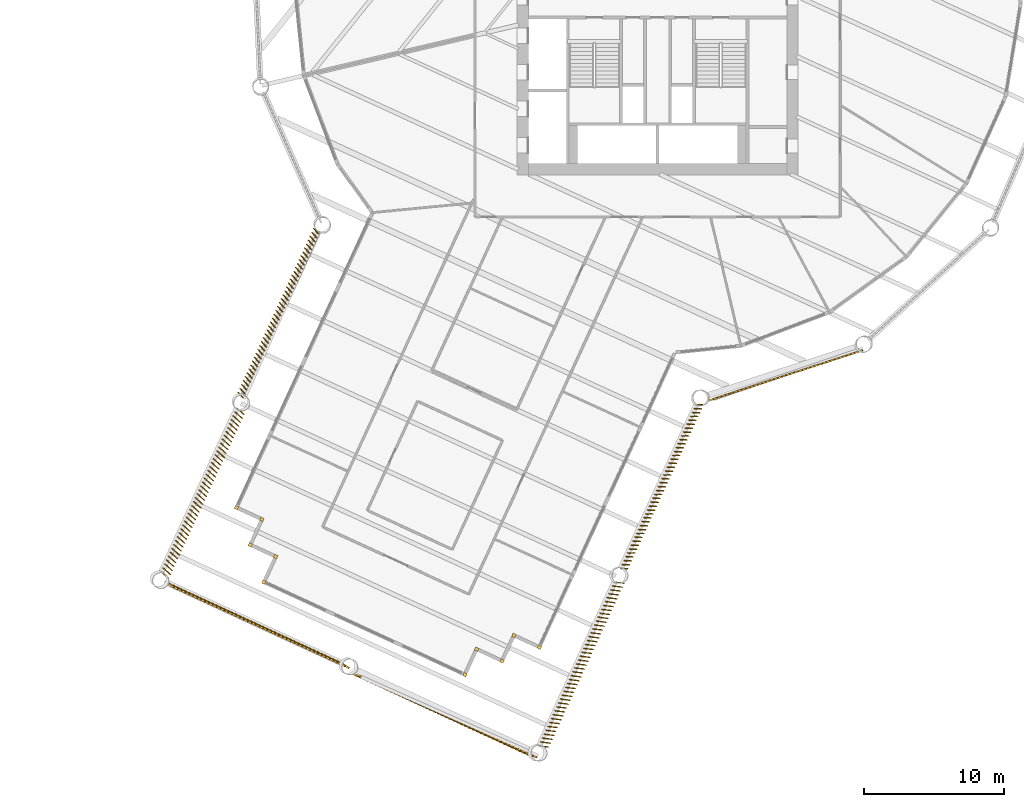
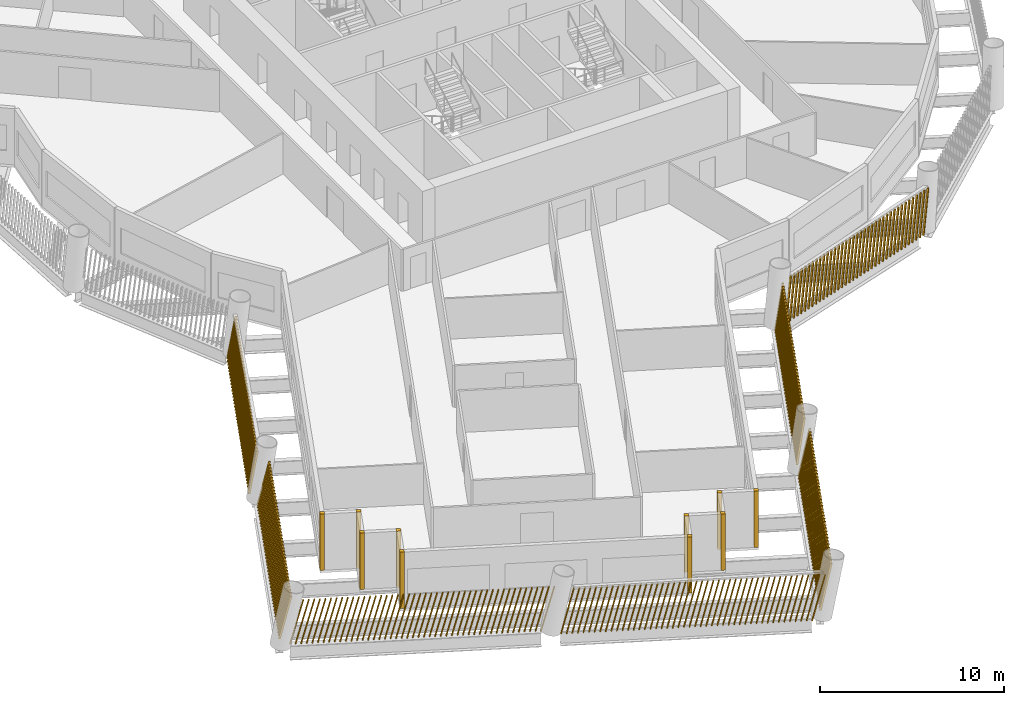
# One storey, part 11 of 16: 17 shading devices.
"""IFC4 building model written with IfcOpenShell, lengths in metres."""

from ifc_helpers import new_model, si_unit, direction, frame, frame_2d, origin, origin_2d, place, context, subcontext, project, spatial, rectangle, composite_profile, extrude, material, type_object, element, save


model = new_model("IFC4")

# Units and contexts
model_context = context("Model", 3, precision=1e-05, world=origin(), true_north=direction((0.0, 1.0)))
body_context = subcontext(model_context, "Body", "Model", "MODEL_VIEW")
ifc_project = project(units=[si_unit("LENGTHUNIT", "METRE"), si_unit("AREAUNIT", "SQUARE_METRE"), si_unit("VOLUMEUNIT", "CUBIC_METRE"), si_unit("PLANEANGLEUNIT", "RADIAN"), si_unit("MASSUNIT", "GRAM", prefix="KILO")], contexts=[model_context])

# Site, building, storey
site_placement = place(None, origin())
site = spatial("IfcSite", under=ifc_project, at=site_placement, CompositionType="ELEMENT")
building_placement = place(site_placement, origin())
building = spatial("IfcBuilding", under=site, at=building_placement, Name="Tarsis Ring Headquarters", CompositionType="ELEMENT")
storey_placement = place(building_placement, frame((0.0, 0.0, 112.300048828125)))
storey = spatial("IfcBuildingStorey", under=building, at=storey_placement, Name="L25", CompositionType="ELEMENT", Elevation=112.300048828125)

# Shading devices
ifc_material = material(Name="Terracotta baguette", Category="masonry")
shading_device_type_1 = type_object("IfcShadingDeviceType", Name="Terracotta baguette screen", PredefinedType="USERDEFINED", material=ifc_material)
shading_device_1_placement = place(storey_placement, frame((-24.4521484375, -16.8046875, 0.0), z_axis=(0.0, 0.0, 1.0), x_axis=(-0.418502119285, -0.908208446866, 0.0)))
element("IfcShadingDevice", 1, at=shading_device_1_placement, inside=storey, type_object=shading_device_type_1, Name="Baguette screen L25-01", ObjectType="Terracotta baguette screen", PredefinedType="USERDEFINED", context=body_context, shape_type="SweptSolid", body=[
    extrude(composite_profile([rectangle(XDim=0.06005859375, YDim=0.1201171875, at=frame_2d((0.030029296875, 0.0))), rectangle(XDim=0.06005859375, YDim=0.1201171875, at=frame_2d((0.335693359375, 0.0))), rectangle(XDim=0.06005859375, YDim=0.1201171875, at=frame_2d((0.6416015625, 0.0))), rectangle(XDim=0.06005859375, YDim=0.1201171875, at=frame_2d((0.947265625, 0.0))), rectangle(XDim=0.06005859375, YDim=0.1201171875, at=frame_2d((1.253173828125, 0.0))), rectangle(XDim=0.06005859375, YDim=0.1201171875, at=frame_2d((1.558837890625, 0.0))), rectangle(XDim=0.06005859375, YDim=0.1201171875, at=frame_2d((1.864501953125, 0.0))), rectangle(XDim=0.06005859375, YDim=0.1201171875, at=frame_2d((2.17041015625, 0.0))), rectangle(XDim=0.06005859375, YDim=0.1201171875, at=frame_2d((2.47607421875, 0.0))), rectangle(XDim=0.06005859375, YDim=0.1201171875, at=frame_2d((2.781982421875, 0.0))), rectangle(XDim=0.06005859375, YDim=0.1201171875, at=frame_2d((3.087646484375, 0.0))), rectangle(XDim=0.06005859375, YDim=0.1201171875, at=frame_2d((3.393310546875, 0.0))), rectangle(XDim=0.06005859375, YDim=0.1201171875, at=frame_2d((3.69921875, 0.0))), rectangle(XDim=0.06005859375, YDim=0.1201171875, at=frame_2d((4.0048828125, 0.0))), rectangle(XDim=0.06005859375, YDim=0.1201171875, at=frame_2d((4.310791015625, 0.0))), rectangle(XDim=0.06005859375, YDim=0.1201171875, at=frame_2d((4.616455078125, 0.0))), rectangle(XDim=0.06005859375, YDim=0.1201171875, at=frame_2d((4.922119140625, 0.0))), rectangle(XDim=0.06005859375, YDim=0.1201171875, at=frame_2d((5.22802734375, 0.0))), rectangle(XDim=0.06005859375, YDim=0.1201171875, at=frame_2d((5.53369140625, 0.0))), rectangle(XDim=0.06005859375, YDim=0.1201171875, at=frame_2d((5.839599609375, 0.0))), rectangle(XDim=0.06005859375, YDim=0.1201171875, at=frame_2d((6.145263671875, 0.0))), rectangle(XDim=0.06005859375, YDim=0.1201171875, at=frame_2d((6.451171875, 0.0))), rectangle(XDim=0.06005859375, YDim=0.1201171875, at=frame_2d((6.7568359375, 0.0))), rectangle(XDim=0.06005859375, YDim=0.1201171875, at=frame_2d((7.0625, 0.0))), rectangle(XDim=0.06005859375, YDim=0.1201171875, at=frame_2d((7.368408203125, 0.0))), rectangle(XDim=0.06005859375, YDim=0.1201171875, at=frame_2d((7.674072265625, 0.0))), rectangle(XDim=0.06005859375, YDim=0.1201171875, at=frame_2d((7.97998046875, 0.0))), rectangle(XDim=0.06005859375, YDim=0.1201171875, at=frame_2d((8.28564453125, 0.0))), rectangle(XDim=0.06005859375, YDim=0.1201171875, at=frame_2d((8.59130859375, 0.0))), rectangle(XDim=0.06005859375, YDim=0.1201171875, at=frame_2d((8.897216796875, 0.0))), rectangle(XDim=0.06005859375, YDim=0.1201171875, at=frame_2d((9.202880859375, 0.0))), rectangle(XDim=0.06005859375, YDim=0.1201171875, at=frame_2d((9.5087890625, 0.0))), rectangle(XDim=0.06005859375, YDim=0.1201171875, at=frame_2d((9.814453125, 0.0))), rectangle(XDim=0.06005859375, YDim=0.1201171875, at=frame_2d((10.1201171875, 0.0))), rectangle(XDim=0.06005859375, YDim=0.1201171875, at=frame_2d((10.426025390625, 0.0))), rectangle(XDim=0.06005859375, YDim=0.1201171875, at=frame_2d((10.731689453125, 0.0))), rectangle(XDim=0.06005859375, YDim=0.1201171875, at=frame_2d((11.03759765625, 0.0))), rectangle(XDim=0.06005859375, YDim=0.1201171875, at=frame_2d((11.34326171875, 0.0))), rectangle(XDim=0.06005859375, YDim=0.1201171875, at=frame_2d((11.64892578125, 0.0))), rectangle(XDim=0.06005859375, YDim=0.1201171875, at=frame_2d((11.954833984375, 0.0))), rectangle(XDim=0.06005859375, YDim=0.1201171875, at=frame_2d((12.260498046875, 0.0))), rectangle(XDim=0.06005859375, YDim=0.1201171875, at=frame_2d((12.56640625, 0.0))), rectangle(XDim=0.06005859375, YDim=0.1201171875, at=frame_2d((12.8720703125, 0.0)))]), origin(), (0.068061836873, 0.145839720977, 0.986964215231), 2.99169921875),
])
shading_device_2_placement = place(storey_placement, frame((-29.9296875, -29.587890625, 0.0), z_axis=(0.0, 0.0, 1.0), x_axis=(-0.418491115863, -0.908225632486, 0.0)))
element("IfcShadingDevice", 2, at=shading_device_2_placement, inside=storey, type_object=shading_device_type_1, Name="Baguette screen L25-02", ObjectType="Terracotta baguette screen", PredefinedType="USERDEFINED", context=body_context, shape_type="SweptSolid", body=[
    extrude(composite_profile([rectangle(XDim=0.06005859375, YDim=0.1201171875, at=frame_2d((0.030029296875, 0.0))), rectangle(XDim=0.06005859375, YDim=0.1201171875, at=frame_2d((0.335693359375, 0.0))), rectangle(XDim=0.06005859375, YDim=0.1201171875, at=frame_2d((0.6416015625, 0.0))), rectangle(XDim=0.06005859375, YDim=0.1201171875, at=frame_2d((0.947265625, 0.0))), rectangle(XDim=0.06005859375, YDim=0.1201171875, at=frame_2d((1.253173828125, 0.0))), rectangle(XDim=0.06005859375, YDim=0.1201171875, at=frame_2d((1.558837890625, 0.0))), rectangle(XDim=0.06005859375, YDim=0.1201171875, at=frame_2d((1.864501953125, 0.0))), rectangle(XDim=0.06005859375, YDim=0.1201171875, at=frame_2d((2.17041015625, 0.0))), rectangle(XDim=0.06005859375, YDim=0.1201171875, at=frame_2d((2.47607421875, 0.0))), rectangle(XDim=0.06005859375, YDim=0.1201171875, at=frame_2d((2.781982421875, 0.0))), rectangle(XDim=0.06005859375, YDim=0.1201171875, at=frame_2d((3.087646484375, 0.0))), rectangle(XDim=0.06005859375, YDim=0.1201171875, at=frame_2d((3.393310546875, 0.0))), rectangle(XDim=0.06005859375, YDim=0.1201171875, at=frame_2d((3.69921875, 0.0))), rectangle(XDim=0.06005859375, YDim=0.1201171875, at=frame_2d((4.0048828125, 0.0))), rectangle(XDim=0.06005859375, YDim=0.1201171875, at=frame_2d((4.310791015625, 0.0))), rectangle(XDim=0.06005859375, YDim=0.1201171875, at=frame_2d((4.616455078125, 0.0))), rectangle(XDim=0.06005859375, YDim=0.1201171875, at=frame_2d((4.922119140625, 0.0))), rectangle(XDim=0.06005859375, YDim=0.1201171875, at=frame_2d((5.22802734375, 0.0))), rectangle(XDim=0.06005859375, YDim=0.1201171875, at=frame_2d((5.53369140625, 0.0))), rectangle(XDim=0.06005859375, YDim=0.1201171875, at=frame_2d((5.839599609375, 0.0))), rectangle(XDim=0.06005859375, YDim=0.1201171875, at=frame_2d((6.145263671875, 0.0))), rectangle(XDim=0.06005859375, YDim=0.1201171875, at=frame_2d((6.451171875, 0.0))), rectangle(XDim=0.06005859375, YDim=0.1201171875, at=frame_2d((6.7568359375, 0.0))), rectangle(XDim=0.06005859375, YDim=0.1201171875, at=frame_2d((7.0625, 0.0))), rectangle(XDim=0.06005859375, YDim=0.1201171875, at=frame_2d((7.368408203125, 0.0))), rectangle(XDim=0.06005859375, YDim=0.1201171875, at=frame_2d((7.674072265625, 0.0))), rectangle(XDim=0.06005859375, YDim=0.1201171875, at=frame_2d((7.97998046875, 0.0))), rectangle(XDim=0.06005859375, YDim=0.1201171875, at=frame_2d((8.28564453125, 0.0))), rectangle(XDim=0.06005859375, YDim=0.1201171875, at=frame_2d((8.59130859375, 0.0))), rectangle(XDim=0.06005859375, YDim=0.1201171875, at=frame_2d((8.897216796875, 0.0))), rectangle(XDim=0.06005859375, YDim=0.1201171875, at=frame_2d((9.202880859375, 0.0))), rectangle(XDim=0.06005859375, YDim=0.1201171875, at=frame_2d((9.5087890625, 0.0))), rectangle(XDim=0.06005859375, YDim=0.1201171875, at=frame_2d((9.814453125, 0.0))), rectangle(XDim=0.06005859375, YDim=0.1201171875, at=frame_2d((10.1201171875, 0.0))), rectangle(XDim=0.06005859375, YDim=0.1201171875, at=frame_2d((10.426025390625, 0.0))), rectangle(XDim=0.06005859375, YDim=0.1201171875, at=frame_2d((10.731689453125, 0.0))), rectangle(XDim=0.06005859375, YDim=0.1201171875, at=frame_2d((11.03759765625, 0.0))), rectangle(XDim=0.06005859375, YDim=0.1201171875, at=frame_2d((11.34326171875, 0.0))), rectangle(XDim=0.06005859375, YDim=0.1201171875, at=frame_2d((11.64892578125, 0.0))), rectangle(XDim=0.06005859375, YDim=0.1201171875, at=frame_2d((11.954833984375, 0.0))), rectangle(XDim=0.06005859375, YDim=0.1201171875, at=frame_2d((12.260498046875, 0.0))), rectangle(XDim=0.06005859375, YDim=0.1201171875, at=frame_2d((12.56640625, 0.0))), rectangle(XDim=0.06005859375, YDim=0.1201171875, at=frame_2d((12.8720703125, 0.0)))]), origin(), (0.06521010196, 0.206810040181, 0.976205536699), 3.024658203125),
])
shading_device_3_placement = place(storey_placement, frame((-35.08447265625, -41.96923828125, 0.0), z_axis=(0.0, 0.0, 1.0), x_axis=(0.908217602831, -0.418505086245, 0.0)))
element("IfcShadingDevice", 3, at=shading_device_3_placement, inside=storey, type_object=shading_device_type_1, Name="Baguette screen L25-03", ObjectType="Terracotta baguette screen", PredefinedType="USERDEFINED", context=body_context, shape_type="SweptSolid", body=[
    extrude(composite_profile([rectangle(XDim=0.06005859375, YDim=0.1201171875, at=frame_2d((0.030029296875, 0.0))), rectangle(XDim=0.06005859375, YDim=0.1201171875, at=frame_2d((0.33544921875, 0.0))), rectangle(XDim=0.06005859375, YDim=0.1201171875, at=frame_2d((0.640625, 0.0))), rectangle(XDim=0.06005859375, YDim=0.1201171875, at=frame_2d((0.946044921875, 0.0))), rectangle(XDim=0.06005859375, YDim=0.1201171875, at=frame_2d((1.25146484375, 0.0))), rectangle(XDim=0.06005859375, YDim=0.1201171875, at=frame_2d((1.556640625, 0.0))), rectangle(XDim=0.06005859375, YDim=0.1201171875, at=frame_2d((1.862060546875, 0.0))), rectangle(XDim=0.06005859375, YDim=0.1201171875, at=frame_2d((2.16748046875, 0.0))), rectangle(XDim=0.06005859375, YDim=0.1201171875, at=frame_2d((2.47265625, 0.0))), rectangle(XDim=0.06005859375, YDim=0.1201171875, at=frame_2d((2.778076171875, 0.0))), rectangle(XDim=0.06005859375, YDim=0.1201171875, at=frame_2d((3.08349609375, 0.0))), rectangle(XDim=0.06005859375, YDim=0.1201171875, at=frame_2d((3.388671875, 0.0))), rectangle(XDim=0.06005859375, YDim=0.1201171875, at=frame_2d((3.694091796875, 0.0))), rectangle(XDim=0.06005859375, YDim=0.1201171875, at=frame_2d((3.99951171875, 0.0))), rectangle(XDim=0.06005859375, YDim=0.1201171875, at=frame_2d((4.3046875, 0.0))), rectangle(XDim=0.06005859375, YDim=0.1201171875, at=frame_2d((4.610107421875, 0.0))), rectangle(XDim=0.06005859375, YDim=0.1201171875, at=frame_2d((4.91552734375, 0.0))), rectangle(XDim=0.06005859375, YDim=0.1201171875, at=frame_2d((5.220703125, 0.0))), rectangle(XDim=0.06005859375, YDim=0.1201171875, at=frame_2d((5.526123046875, 0.0))), rectangle(XDim=0.06005859375, YDim=0.1201171875, at=frame_2d((5.83154296875, 0.0))), rectangle(XDim=0.06005859375, YDim=0.1201171875, at=frame_2d((6.13671875, 0.0))), rectangle(XDim=0.06005859375, YDim=0.1201171875, at=frame_2d((6.442138671875, 0.0))), rectangle(XDim=0.06005859375, YDim=0.1201171875, at=frame_2d((6.74755859375, 0.0))), rectangle(XDim=0.06005859375, YDim=0.1201171875, at=frame_2d((7.052734375, 0.0))), rectangle(XDim=0.06005859375, YDim=0.1201171875, at=frame_2d((7.358154296875, 0.0))), rectangle(XDim=0.06005859375, YDim=0.1201171875, at=frame_2d((7.66357421875, 0.0))), rectangle(XDim=0.06005859375, YDim=0.1201171875, at=frame_2d((7.96875, 0.0))), rectangle(XDim=0.06005859375, YDim=0.1201171875, at=frame_2d((8.274169921875, 0.0))), rectangle(XDim=0.06005859375, YDim=0.1201171875, at=frame_2d((8.57958984375, 0.0))), rectangle(XDim=0.06005859375, YDim=0.1201171875, at=frame_2d((8.884765625, 0.0))), rectangle(XDim=0.06005859375, YDim=0.1201171875, at=frame_2d((9.190185546875, 0.0))), rectangle(XDim=0.06005859375, YDim=0.1201171875, at=frame_2d((9.49560546875, 0.0))), rectangle(XDim=0.06005859375, YDim=0.1201171875, at=frame_2d((9.80078125, 0.0))), rectangle(XDim=0.06005859375, YDim=0.1201171875, at=frame_2d((10.106201171875, 0.0))), rectangle(XDim=0.06005859375, YDim=0.1201171875, at=frame_2d((10.41162109375, 0.0))), rectangle(XDim=0.06005859375, YDim=0.1201171875, at=frame_2d((10.716796875, 0.0))), rectangle(XDim=0.06005859375, YDim=0.1201171875, at=frame_2d((11.022216796875, 0.0))), rectangle(XDim=0.06005859375, YDim=0.1201171875, at=frame_2d((11.32763671875, 0.0))), rectangle(XDim=0.06005859375, YDim=0.1201171875, at=frame_2d((11.6328125, 0.0))), rectangle(XDim=0.06005859375, YDim=0.1201171875, at=frame_2d((11.938232421875, 0.0))), rectangle(XDim=0.06005859375, YDim=0.1201171875, at=frame_2d((12.24365234375, 0.0))), rectangle(XDim=0.06005859375, YDim=0.1201171875, at=frame_2d((12.548828125, 0.0))), rectangle(XDim=0.06005859375, YDim=0.1201171875, at=frame_2d((12.854248046875, 0.0))), rectangle(XDim=0.06005859375, YDim=0.1201171875, at=frame_2d((13.15966796875, 0.0))), rectangle(XDim=0.06005859375, YDim=0.1201171875, at=frame_2d((13.46484375, 0.0))), rectangle(XDim=0.06005859375, YDim=0.1201171875, at=frame_2d((13.770263671875, 0.0)))]), origin(), (0.236623200836, -0.031521510311, 0.971090034556), 3.04052734375),
])
shading_device_4_placement = place(storey_placement, frame((-21.7998046875, -48.503662109375, 0.0), z_axis=(0.0, 0.0, 1.0), x_axis=(0.908217602831, -0.418505086245, 0.0)))
element("IfcShadingDevice", 4, at=shading_device_4_placement, inside=storey, type_object=shading_device_type_1, Name="Baguette screen L25-04", ObjectType="Terracotta baguette screen", PredefinedType="USERDEFINED", context=body_context, shape_type="SweptSolid", body=[
    extrude(composite_profile([rectangle(XDim=0.06005859375, YDim=0.1201171875, at=frame_2d((0.030029296875, 0.0))), rectangle(XDim=0.06005859375, YDim=0.1201171875, at=frame_2d((0.33544921875, 0.0))), rectangle(XDim=0.06005859375, YDim=0.1201171875, at=frame_2d((0.640625, 0.0))), rectangle(XDim=0.06005859375, YDim=0.1201171875, at=frame_2d((0.946044921875, 0.0))), rectangle(XDim=0.06005859375, YDim=0.1201171875, at=frame_2d((1.25146484375, 0.0))), rectangle(XDim=0.06005859375, YDim=0.1201171875, at=frame_2d((1.556640625, 0.0))), rectangle(XDim=0.06005859375, YDim=0.1201171875, at=frame_2d((1.862060546875, 0.0))), rectangle(XDim=0.06005859375, YDim=0.1201171875, at=frame_2d((2.16748046875, 0.0))), rectangle(XDim=0.06005859375, YDim=0.1201171875, at=frame_2d((2.47265625, 0.0))), rectangle(XDim=0.06005859375, YDim=0.1201171875, at=frame_2d((2.778076171875, 0.0))), rectangle(XDim=0.06005859375, YDim=0.1201171875, at=frame_2d((3.08349609375, 0.0))), rectangle(XDim=0.06005859375, YDim=0.1201171875, at=frame_2d((3.388671875, 0.0))), rectangle(XDim=0.06005859375, YDim=0.1201171875, at=frame_2d((3.694091796875, 0.0))), rectangle(XDim=0.06005859375, YDim=0.1201171875, at=frame_2d((3.99951171875, 0.0))), rectangle(XDim=0.06005859375, YDim=0.1201171875, at=frame_2d((4.3046875, 0.0))), rectangle(XDim=0.06005859375, YDim=0.1201171875, at=frame_2d((4.610107421875, 0.0))), rectangle(XDim=0.06005859375, YDim=0.1201171875, at=frame_2d((4.91552734375, 0.0))), rectangle(XDim=0.06005859375, YDim=0.1201171875, at=frame_2d((5.220703125, 0.0))), rectangle(XDim=0.06005859375, YDim=0.1201171875, at=frame_2d((5.526123046875, 0.0))), rectangle(XDim=0.06005859375, YDim=0.1201171875, at=frame_2d((5.83154296875, 0.0))), rectangle(XDim=0.06005859375, YDim=0.1201171875, at=frame_2d((6.13671875, 0.0))), rectangle(XDim=0.06005859375, YDim=0.1201171875, at=frame_2d((6.442138671875, 0.0))), rectangle(XDim=0.06005859375, YDim=0.1201171875, at=frame_2d((6.74755859375, 0.0))), rectangle(XDim=0.06005859375, YDim=0.1201171875, at=frame_2d((7.052734375, 0.0))), rectangle(XDim=0.06005859375, YDim=0.1201171875, at=frame_2d((7.358154296875, 0.0))), rectangle(XDim=0.06005859375, YDim=0.1201171875, at=frame_2d((7.66357421875, 0.0))), rectangle(XDim=0.06005859375, YDim=0.1201171875, at=frame_2d((7.96875, 0.0))), rectangle(XDim=0.06005859375, YDim=0.1201171875, at=frame_2d((8.274169921875, 0.0))), rectangle(XDim=0.06005859375, YDim=0.1201171875, at=frame_2d((8.57958984375, 0.0))), rectangle(XDim=0.06005859375, YDim=0.1201171875, at=frame_2d((8.884765625, 0.0))), rectangle(XDim=0.06005859375, YDim=0.1201171875, at=frame_2d((9.190185546875, 0.0))), rectangle(XDim=0.06005859375, YDim=0.1201171875, at=frame_2d((9.49560546875, 0.0))), rectangle(XDim=0.06005859375, YDim=0.1201171875, at=frame_2d((9.80078125, 0.0))), rectangle(XDim=0.06005859375, YDim=0.1201171875, at=frame_2d((10.106201171875, 0.0))), rectangle(XDim=0.06005859375, YDim=0.1201171875, at=frame_2d((10.41162109375, 0.0))), rectangle(XDim=0.06005859375, YDim=0.1201171875, at=frame_2d((10.716796875, 0.0))), rectangle(XDim=0.06005859375, YDim=0.1201171875, at=frame_2d((11.022216796875, 0.0))), rectangle(XDim=0.06005859375, YDim=0.1201171875, at=frame_2d((11.32763671875, 0.0))), rectangle(XDim=0.06005859375, YDim=0.1201171875, at=frame_2d((11.6328125, 0.0))), rectangle(XDim=0.06005859375, YDim=0.1201171875, at=frame_2d((11.938232421875, 0.0))), rectangle(XDim=0.06005859375, YDim=0.1201171875, at=frame_2d((12.24365234375, 0.0))), rectangle(XDim=0.06005859375, YDim=0.1201171875, at=frame_2d((12.548828125, 0.0))), rectangle(XDim=0.06005859375, YDim=0.1201171875, at=frame_2d((12.854248046875, 0.0))), rectangle(XDim=0.06005859375, YDim=0.1201171875, at=frame_2d((13.15966796875, 0.0))), rectangle(XDim=0.06005859375, YDim=0.1201171875, at=frame_2d((13.46484375, 0.0))), rectangle(XDim=0.06005859375, YDim=0.1201171875, at=frame_2d((13.770263671875, 0.0)))]), origin(), (0.237756248422, 0.03473923554, 0.970703431461), 3.041748046875),
])
shading_device_5_placement = place(storey_placement, frame((-8.446044921875, -53.693603515625, 0.0), z_axis=(0.0, 0.0, 1.0), x_axis=(0.418502119285, 0.908208446866, 0.0)))
element("IfcShadingDevice", 5, at=shading_device_5_placement, inside=storey, type_object=shading_device_type_1, Name="Baguette screen L25-05", ObjectType="Terracotta baguette screen", PredefinedType="USERDEFINED", context=body_context, shape_type="SweptSolid", body=[
    extrude(composite_profile([rectangle(XDim=0.06005859375, YDim=0.1201171875, at=frame_2d((0.030029296875, 0.0))), rectangle(XDim=0.06005859375, YDim=0.1201171875, at=frame_2d((0.335693359375, 0.0))), rectangle(XDim=0.06005859375, YDim=0.1201171875, at=frame_2d((0.6416015625, 0.0))), rectangle(XDim=0.06005859375, YDim=0.1201171875, at=frame_2d((0.947265625, 0.0))), rectangle(XDim=0.06005859375, YDim=0.1201171875, at=frame_2d((1.253173828125, 0.0))), rectangle(XDim=0.06005859375, YDim=0.1201171875, at=frame_2d((1.558837890625, 0.0))), rectangle(XDim=0.06005859375, YDim=0.1201171875, at=frame_2d((1.864501953125, 0.0))), rectangle(XDim=0.06005859375, YDim=0.1201171875, at=frame_2d((2.17041015625, 0.0))), rectangle(XDim=0.06005859375, YDim=0.1201171875, at=frame_2d((2.47607421875, 0.0))), rectangle(XDim=0.06005859375, YDim=0.1201171875, at=frame_2d((2.781982421875, 0.0))), rectangle(XDim=0.06005859375, YDim=0.1201171875, at=frame_2d((3.087646484375, 0.0))), rectangle(XDim=0.06005859375, YDim=0.1201171875, at=frame_2d((3.393310546875, 0.0))), rectangle(XDim=0.06005859375, YDim=0.1201171875, at=frame_2d((3.69921875, 0.0))), rectangle(XDim=0.06005859375, YDim=0.1201171875, at=frame_2d((4.0048828125, 0.0))), rectangle(XDim=0.06005859375, YDim=0.1201171875, at=frame_2d((4.310791015625, 0.0))), rectangle(XDim=0.06005859375, YDim=0.1201171875, at=frame_2d((4.616455078125, 0.0))), rectangle(XDim=0.06005859375, YDim=0.1201171875, at=frame_2d((4.922119140625, 0.0))), rectangle(XDim=0.06005859375, YDim=0.1201171875, at=frame_2d((5.22802734375, 0.0))), rectangle(XDim=0.06005859375, YDim=0.1201171875, at=frame_2d((5.53369140625, 0.0))), rectangle(XDim=0.06005859375, YDim=0.1201171875, at=frame_2d((5.839599609375, 0.0))), rectangle(XDim=0.06005859375, YDim=0.1201171875, at=frame_2d((6.145263671875, 0.0))), rectangle(XDim=0.06005859375, YDim=0.1201171875, at=frame_2d((6.451171875, 0.0))), rectangle(XDim=0.06005859375, YDim=0.1201171875, at=frame_2d((6.7568359375, 0.0))), rectangle(XDim=0.06005859375, YDim=0.1201171875, at=frame_2d((7.0625, 0.0))), rectangle(XDim=0.06005859375, YDim=0.1201171875, at=frame_2d((7.368408203125, 0.0))), rectangle(XDim=0.06005859375, YDim=0.1201171875, at=frame_2d((7.674072265625, 0.0))), rectangle(XDim=0.06005859375, YDim=0.1201171875, at=frame_2d((7.97998046875, 0.0))), rectangle(XDim=0.06005859375, YDim=0.1201171875, at=frame_2d((8.28564453125, 0.0))), rectangle(XDim=0.06005859375, YDim=0.1201171875, at=frame_2d((8.59130859375, 0.0))), rectangle(XDim=0.06005859375, YDim=0.1201171875, at=frame_2d((8.897216796875, 0.0))), rectangle(XDim=0.06005859375, YDim=0.1201171875, at=frame_2d((9.202880859375, 0.0))), rectangle(XDim=0.06005859375, YDim=0.1201171875, at=frame_2d((9.5087890625, 0.0))), rectangle(XDim=0.06005859375, YDim=0.1201171875, at=frame_2d((9.814453125, 0.0))), rectangle(XDim=0.06005859375, YDim=0.1201171875, at=frame_2d((10.1201171875, 0.0))), rectangle(XDim=0.06005859375, YDim=0.1201171875, at=frame_2d((10.426025390625, 0.0))), rectangle(XDim=0.06005859375, YDim=0.1201171875, at=frame_2d((10.731689453125, 0.0))), rectangle(XDim=0.06005859375, YDim=0.1201171875, at=frame_2d((11.03759765625, 0.0))), rectangle(XDim=0.06005859375, YDim=0.1201171875, at=frame_2d((11.34326171875, 0.0))), rectangle(XDim=0.06005859375, YDim=0.1201171875, at=frame_2d((11.64892578125, 0.0))), rectangle(XDim=0.06005859375, YDim=0.1201171875, at=frame_2d((11.954833984375, 0.0))), rectangle(XDim=0.06005859375, YDim=0.1201171875, at=frame_2d((12.260498046875, 0.0))), rectangle(XDim=0.06005859375, YDim=0.1201171875, at=frame_2d((12.56640625, 0.0))), rectangle(XDim=0.06005859375, YDim=0.1201171875, at=frame_2d((12.8720703125, 0.0)))]), origin(), (0.068017107697, -0.205901697312, 0.976206004952), 3.024658203125),
])
shading_device_6_placement = place(storey_placement, frame((-2.6279296875, -41.0673828125, 0.0), z_axis=(0.0, 0.0, 1.0), x_axis=(0.418502119285, 0.908208446866, 0.0)))
element("IfcShadingDevice", 6, at=shading_device_6_placement, inside=storey, type_object=shading_device_type_1, Name="Baguette screen L25-06", ObjectType="Terracotta baguette screen", PredefinedType="USERDEFINED", context=body_context, shape_type="SweptSolid", body=[
    extrude(composite_profile([rectangle(XDim=0.06005859375, YDim=0.1201171875, at=frame_2d((0.030029296875, 0.0))), rectangle(XDim=0.06005859375, YDim=0.1201171875, at=frame_2d((0.335693359375, 0.0))), rectangle(XDim=0.06005859375, YDim=0.1201171875, at=frame_2d((0.6416015625, 0.0))), rectangle(XDim=0.06005859375, YDim=0.1201171875, at=frame_2d((0.947265625, 0.0))), rectangle(XDim=0.06005859375, YDim=0.1201171875, at=frame_2d((1.253173828125, 0.0))), rectangle(XDim=0.06005859375, YDim=0.1201171875, at=frame_2d((1.558837890625, 0.0))), rectangle(XDim=0.06005859375, YDim=0.1201171875, at=frame_2d((1.864501953125, 0.0))), rectangle(XDim=0.06005859375, YDim=0.1201171875, at=frame_2d((2.17041015625, 0.0))), rectangle(XDim=0.06005859375, YDim=0.1201171875, at=frame_2d((2.47607421875, 0.0))), rectangle(XDim=0.06005859375, YDim=0.1201171875, at=frame_2d((2.781982421875, 0.0))), rectangle(XDim=0.06005859375, YDim=0.1201171875, at=frame_2d((3.087646484375, 0.0))), rectangle(XDim=0.06005859375, YDim=0.1201171875, at=frame_2d((3.393310546875, 0.0))), rectangle(XDim=0.06005859375, YDim=0.1201171875, at=frame_2d((3.69921875, 0.0))), rectangle(XDim=0.06005859375, YDim=0.1201171875, at=frame_2d((4.0048828125, 0.0))), rectangle(XDim=0.06005859375, YDim=0.1201171875, at=frame_2d((4.310791015625, 0.0))), rectangle(XDim=0.06005859375, YDim=0.1201171875, at=frame_2d((4.616455078125, 0.0))), rectangle(XDim=0.06005859375, YDim=0.1201171875, at=frame_2d((4.922119140625, 0.0))), rectangle(XDim=0.06005859375, YDim=0.1201171875, at=frame_2d((5.22802734375, 0.0))), rectangle(XDim=0.06005859375, YDim=0.1201171875, at=frame_2d((5.53369140625, 0.0))), rectangle(XDim=0.06005859375, YDim=0.1201171875, at=frame_2d((5.839599609375, 0.0))), rectangle(XDim=0.06005859375, YDim=0.1201171875, at=frame_2d((6.145263671875, 0.0))), rectangle(XDim=0.06005859375, YDim=0.1201171875, at=frame_2d((6.451171875, 0.0))), rectangle(XDim=0.06005859375, YDim=0.1201171875, at=frame_2d((6.7568359375, 0.0))), rectangle(XDim=0.06005859375, YDim=0.1201171875, at=frame_2d((7.0625, 0.0))), rectangle(XDim=0.06005859375, YDim=0.1201171875, at=frame_2d((7.368408203125, 0.0))), rectangle(XDim=0.06005859375, YDim=0.1201171875, at=frame_2d((7.674072265625, 0.0))), rectangle(XDim=0.06005859375, YDim=0.1201171875, at=frame_2d((7.97998046875, 0.0))), rectangle(XDim=0.06005859375, YDim=0.1201171875, at=frame_2d((8.28564453125, 0.0))), rectangle(XDim=0.06005859375, YDim=0.1201171875, at=frame_2d((8.59130859375, 0.0))), rectangle(XDim=0.06005859375, YDim=0.1201171875, at=frame_2d((8.897216796875, 0.0))), rectangle(XDim=0.06005859375, YDim=0.1201171875, at=frame_2d((9.202880859375, 0.0))), rectangle(XDim=0.06005859375, YDim=0.1201171875, at=frame_2d((9.5087890625, 0.0))), rectangle(XDim=0.06005859375, YDim=0.1201171875, at=frame_2d((9.814453125, 0.0))), rectangle(XDim=0.06005859375, YDim=0.1201171875, at=frame_2d((10.1201171875, 0.0))), rectangle(XDim=0.06005859375, YDim=0.1201171875, at=frame_2d((10.426025390625, 0.0))), rectangle(XDim=0.06005859375, YDim=0.1201171875, at=frame_2d((10.731689453125, 0.0))), rectangle(XDim=0.06005859375, YDim=0.1201171875, at=frame_2d((11.03759765625, 0.0))), rectangle(XDim=0.06005859375, YDim=0.1201171875, at=frame_2d((11.34326171875, 0.0))), rectangle(XDim=0.06005859375, YDim=0.1201171875, at=frame_2d((11.64892578125, 0.0))), rectangle(XDim=0.06005859375, YDim=0.1201171875, at=frame_2d((11.954833984375, 0.0))), rectangle(XDim=0.06005859375, YDim=0.1201171875, at=frame_2d((12.260498046875, 0.0))), rectangle(XDim=0.06005859375, YDim=0.1201171875, at=frame_2d((12.56640625, 0.0))), rectangle(XDim=0.06005859375, YDim=0.1201171875, at=frame_2d((12.8720703125, 0.0)))]), origin(), (0.068343556152, -0.144927412977, 0.987079127173), 2.9912109375),
])
shading_device_7_placement = place(storey_placement, frame((3.572509765625, -29.0966796875, 0.0), z_axis=(0.0, 0.0, 1.0), x_axis=(0.950732501356, 0.310037981552, 0.0)))
element("IfcShadingDevice", 7, at=shading_device_7_placement, inside=storey, type_object=shading_device_type_1, Name="Baguette screen L25-07", ObjectType="Terracotta baguette screen", PredefinedType="USERDEFINED", context=body_context, shape_type="SweptSolid", body=[
    extrude(composite_profile([rectangle(XDim=0.06005859375, YDim=0.1201171875, at=frame_2d((0.030029296875, 0.0))), rectangle(XDim=0.06005859375, YDim=0.1201171875, at=frame_2d((0.33251953125, 0.0))), rectangle(XDim=0.06005859375, YDim=0.1201171875, at=frame_2d((0.634765625, 0.0))), rectangle(XDim=0.06005859375, YDim=0.1201171875, at=frame_2d((0.937255859375, 0.0))), rectangle(XDim=0.06005859375, YDim=0.1201171875, at=frame_2d((1.239501953125, 0.0))), rectangle(XDim=0.06005859375, YDim=0.1201171875, at=frame_2d((1.5419921875, 0.0))), rectangle(XDim=0.06005859375, YDim=0.1201171875, at=frame_2d((1.844482421875, 0.0))), rectangle(XDim=0.06005859375, YDim=0.1201171875, at=frame_2d((2.146728515625, 0.0))), rectangle(XDim=0.06005859375, YDim=0.1201171875, at=frame_2d((2.44921875, 0.0))), rectangle(XDim=0.06005859375, YDim=0.1201171875, at=frame_2d((2.751708984375, 0.0))), rectangle(XDim=0.06005859375, YDim=0.1201171875, at=frame_2d((3.053955078125, 0.0))), rectangle(XDim=0.06005859375, YDim=0.1201171875, at=frame_2d((3.3564453125, 0.0))), rectangle(XDim=0.06005859375, YDim=0.1201171875, at=frame_2d((3.65869140625, 0.0))), rectangle(XDim=0.06005859375, YDim=0.1201171875, at=frame_2d((3.961181640625, 0.0))), rectangle(XDim=0.06005859375, YDim=0.1201171875, at=frame_2d((4.263671875, 0.0))), rectangle(XDim=0.06005859375, YDim=0.1201171875, at=frame_2d((4.56591796875, 0.0))), rectangle(XDim=0.06005859375, YDim=0.1201171875, at=frame_2d((4.868408203125, 0.0))), rectangle(XDim=0.06005859375, YDim=0.1201171875, at=frame_2d((5.1708984375, 0.0))), rectangle(XDim=0.06005859375, YDim=0.1201171875, at=frame_2d((5.47314453125, 0.0))), rectangle(XDim=0.06005859375, YDim=0.1201171875, at=frame_2d((5.775634765625, 0.0))), rectangle(XDim=0.06005859375, YDim=0.1201171875, at=frame_2d((6.077880859375, 0.0))), rectangle(XDim=0.06005859375, YDim=0.1201171875, at=frame_2d((6.38037109375, 0.0))), rectangle(XDim=0.06005859375, YDim=0.1201171875, at=frame_2d((6.682861328125, 0.0))), rectangle(XDim=0.06005859375, YDim=0.1201171875, at=frame_2d((6.985107421875, 0.0))), rectangle(XDim=0.06005859375, YDim=0.1201171875, at=frame_2d((7.28759765625, 0.0))), rectangle(XDim=0.06005859375, YDim=0.1201171875, at=frame_2d((7.590087890625, 0.0))), rectangle(XDim=0.06005859375, YDim=0.1201171875, at=frame_2d((7.892333984375, 0.0))), rectangle(XDim=0.06005859375, YDim=0.1201171875, at=frame_2d((8.19482421875, 0.0))), rectangle(XDim=0.06005859375, YDim=0.1201171875, at=frame_2d((8.4970703125, 0.0))), rectangle(XDim=0.06005859375, YDim=0.1201171875, at=frame_2d((8.799560546875, 0.0))), rectangle(XDim=0.06005859375, YDim=0.1201171875, at=frame_2d((9.10205078125, 0.0))), rectangle(XDim=0.06005859375, YDim=0.1201171875, at=frame_2d((9.404296875, 0.0))), rectangle(XDim=0.06005859375, YDim=0.1201171875, at=frame_2d((9.706787109375, 0.0))), rectangle(XDim=0.06005859375, YDim=0.1201171875, at=frame_2d((10.00927734375, 0.0))), rectangle(XDim=0.06005859375, YDim=0.1201171875, at=frame_2d((10.3115234375, 0.0))), rectangle(XDim=0.06005859375, YDim=0.1201171875, at=frame_2d((10.614013671875, 0.0))), rectangle(XDim=0.06005859375, YDim=0.1201171875, at=frame_2d((10.916259765625, 0.0))), rectangle(XDim=0.06005859375, YDim=0.1201171875, at=frame_2d((11.21875, 0.0)))]), origin(), (0.131495831859, 0.000894970627, 0.991316319462), 2.978515625),
])
shading_device_type_2 = type_object("IfcShadingDeviceType", Name="Terracotta corner baguette 250x250", PredefinedType="USERDEFINED", material=ifc_material)
for number, where, z_axis, x_axis, name in (
    (8, (-29.98388671875, -36.69482421875, 0.0), (0.0, 0.0, 1.0), (-0.418501198574, -0.90821624451, 0.0), "Corner baguette L25-07"),
    (9, (-28.16748046875, -37.53173828125, 0.0), (0.0, 0.0, 1.0), (0.908216361378, -0.418500944952, 0.0), "Corner baguette L25-08"),
    (10, (-29.00439453125, -39.34814453125, 0.0), (0.0, 0.0, 1.0), (-0.418501547304, -0.908216083817, 0.0), "Corner baguette L25-09"),
    (11, (-27.18798828125, -40.18505859375, 0.0), (0.0, 0.0, 1.0), (0.908216083817, -0.418501547304, 0.0), "Corner baguette L25-10"),
    (12, (-28.02490234375, -42.001708984375, 0.0), (0.0, 0.0, 1.0), (-0.418501357088, -0.908216171468, 0.0), "Corner baguette L25-11"),
    (13, (-13.720458984375, -48.593017578125, 0.0), (0.0, 0.0, 1.0), (0.908216251814, -0.418501182723, 0.0), "Corner baguette L25-12"),
    (14, (-12.883544921875, -46.776611328125, 0.0), (0.0, 0.0, 1.0), (0.418501547304, 0.908216083817, 0.0), "Corner baguette L25-13"),
    (15, (-11.067138671875, -47.613525390625, 0.0), (0.0, 0.0, 1.0), (0.908216361378, -0.418500944952, 0.0), "Corner baguette L25-14"),
    (16, (-10.230224609375, -45.797119140625, 0.0), (0.0, 0.0, 1.0), (0.418500944952, 0.908216361378, 0.0), "Corner baguette L25-15"),
    (17, (-8.41357421875, -46.634033203125, 0.0), (0.0, 0.0, 1.0), (0.908216083817, -0.418501547304, 0.0), "Corner baguette L25-16"),
):
    element("IfcShadingDevice", number, at=place(storey_placement, frame(where, z_axis=z_axis, x_axis=x_axis)), inside=storey, type_object=shading_device_type_2, Name=name, ObjectType="Terracotta corner baguette", PredefinedType="USERDEFINED", context=body_context, shape_type="SweptSolid", body=[
        extrude(rectangle(XDim=0.25, YDim=0.25, at=origin_2d()), origin(), (0.0, 0.0, 1.0), 3.739990234375),
    ])

save(model, "model.ifc")
